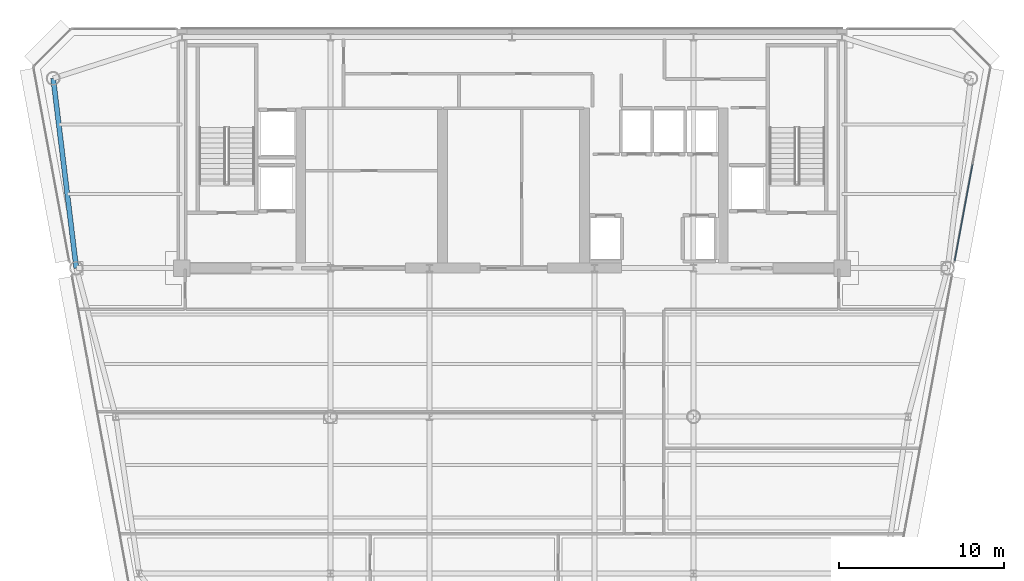
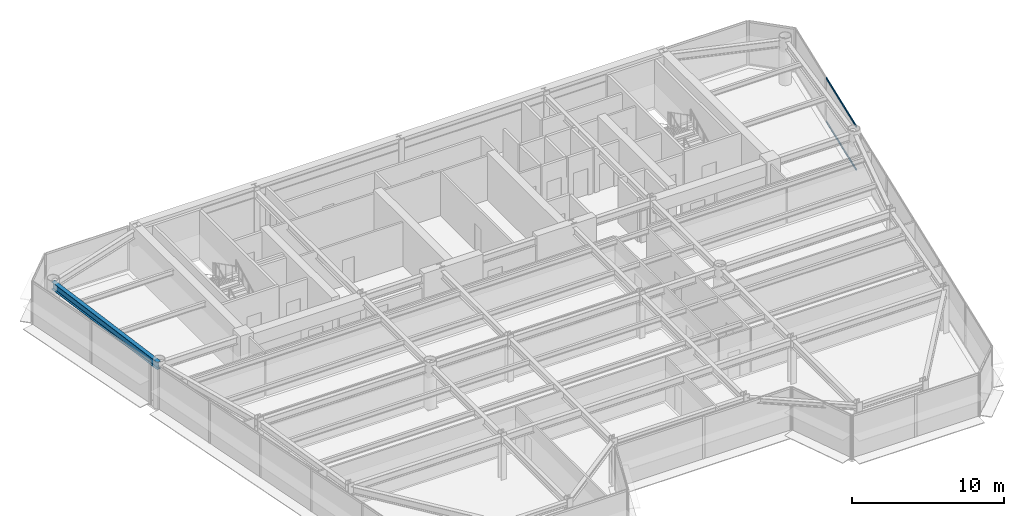
# One storey, part 7 of 17: 2 members, 1 beam, 1 element without a shape of its own.
"""IFC4 building model written with IfcOpenShell, lengths in metres."""

import ifcopenshell
import ifcopenshell.guid

model = None  # the IFC model being written
_history = None  # IfcOwnerHistory: only IFC2X3 demands one
_inside = {}  # id of a spatial element -> (the spatial element, [elements in it])
_under = {}  # id of a project, library or spatial element -> (it, [spatial elements below it])
_declared = {}  # id of a project -> (the project, [libraries it declares])
_typed = {}  # id of a type object -> (the type object, [elements of that type])
_made_of = {}  # id of a material, layer set ... -> (it, [elements and type objects made of it])


def new_model(schema):
    """Start an empty IFC model of exactly this schema.

    Asked for "IFC4X3", IfcOpenShell would pick the latest addendum, in which some entities
    have other attributes; the version numbers below select the first issue.
    IFC2X3 requires an IfcOwnerHistory on every rooted entity: one is made here for all.
    """
    global model, _history
    if schema == "IFC4X3":
        model = ifcopenshell.file(schema_version=(4, 3, 0, 0))
    else:
        model = ifcopenshell.file(schema=schema)
    _inside.clear()
    _under.clear()
    _declared.clear()
    _typed.clear()
    _made_of.clear()
    _history = None
    if model.schema == "IFC2X3":
        org = make("IfcOrganization", Name="unknown")
        user = make(
            "IfcPersonAndOrganization",
            ThePerson=make("IfcPerson", FamilyName="unknown"),
            TheOrganization=org,
        )
        app = make(
            "IfcApplication",
            ApplicationDeveloper=org,
            Version="unknown",
            ApplicationFullName="unknown",
            ApplicationIdentifier="unknown",
        )
        _history = make(
            "IfcOwnerHistory",
            OwningUser=user,
            OwningApplication=app,
            ChangeAction="ADDED",
            CreationDate=0,
        )
    return model


def make(cls, **values):
    """One entity of the class cls with the attributes given. An attribute that is None is left unset."""
    return model.create_entity(
        cls, **{name: value for name, value in values.items() if value is not None}
    )


def rooted(cls, **values):
    """An entity with a GlobalId (a new one), such as an element, a storey or a relation."""
    return make(cls, GlobalId=ifcopenshell.guid.new(), OwnerHistory=_history, **values)


def si_unit(unit_type, name, prefix=None):
    """IfcSIUnit, for example si_unit("LENGTHUNIT", "METRE", prefix="MILLI")."""
    return make("IfcSIUnit", UnitType=unit_type, Prefix=prefix, Name=name)


def assignment(units):
    """IfcUnitAssignment: the units of a project."""
    return None if units is None else make("IfcUnitAssignment", Units=units)


def point(xyz):
    """IfcCartesianPoint."""
    return None if xyz is None else make("IfcCartesianPoint", Coordinates=xyz)


def direction(xyz):
    """IfcDirection."""
    return None if xyz is None else make("IfcDirection", DirectionRatios=xyz)


def frame(location, z_axis=None, x_axis=None):
    """IfcAxis2Placement3D, a coordinate frame: its origin and axes. An axis left out is left unset."""
    return make(
        "IfcAxis2Placement3D",
        Location=point(location),
        Axis=direction(z_axis),
        RefDirection=direction(x_axis),
    )


def frame_2d(location, x_axis=None):
    """IfcAxis2Placement2D, a coordinate frame in the plane: its origin and x axis."""
    return make(
        "IfcAxis2Placement2D", Location=point(location), RefDirection=direction(x_axis)
    )


def origin():
    """The frame at (0, 0, 0) with its axes left unset."""
    return frame((0.0, 0.0, 0.0))


def origin_2d():
    """The frame at (0, 0) in the plane with its x axis left unset."""
    return frame_2d((0.0, 0.0))


def place(relative_to, where):
    """IfcLocalPlacement: puts the frame where relative to a parent placement (None: the world)."""
    return make(
        "IfcLocalPlacement", PlacementRelTo=relative_to, RelativePlacement=where
    )


def context(
    kind, dimensions, precision=None, world=None, true_north=None, identifier=None
):
    """IfcGeometricRepresentationContext, for example the 3D "Model" context."""
    return make(
        "IfcGeometricRepresentationContext",
        ContextIdentifier=identifier,
        ContextType=kind,
        CoordinateSpaceDimension=dimensions,
        Precision=precision,
        WorldCoordinateSystem=world,
        TrueNorth=true_north,
    )


def subcontext(parent, identifier, kind, view, scale=None):
    """IfcGeometricRepresentationSubContext, for example "Body" below "Model"."""
    return make(
        "IfcGeometricRepresentationSubContext",
        ContextIdentifier=identifier,
        ContextType=kind,
        ParentContext=parent,
        TargetScale=scale,
        TargetView=view,
    )


def project(units=None, contexts=None):
    """IfcProject with its units and contexts."""
    return rooted(
        "IfcProject",
        Name="project",
        RepresentationContexts=contexts,
        UnitsInContext=assignment(units),
    )


def spatial(cls, under=None, at=None, **own):
    """A site, building, storey or space (cls), placed at a placement, below another one or the project."""
    s = rooted(cls, ObjectPlacement=at, **own)
    if under is not None:
        _under.setdefault(under.id(), (under, []))[1].append(s)
    return s


def profile(cls, at=None, kind="AREA", **sizes):
    """A parametric profile (cls). Its sizes go by their IFC names, for example OverallWidth=200.0."""
    return make(cls, ProfileType=kind, Position=at, **sizes)


def rectangle(**sizes):
    """IfcRectangleProfileDef."""
    return profile("IfcRectangleProfileDef", **sizes)


def i_section(**sizes):
    """IfcIShapeProfileDef."""
    return profile("IfcIShapeProfileDef", **sizes)


def extrude(swept, where, along, depth):
    """IfcExtrudedAreaSolid: the profile swept, set in the frame where, extruded along a direction by depth."""
    return make(
        "IfcExtrudedAreaSolid",
        SweptArea=swept,
        Position=where,
        ExtrudedDirection=direction(along),
        Depth=depth,
    )


def shape(context_of_items, identifier, shape_type, items):
    """IfcShapeRepresentation: the items that make up one representation, for example the "Body"."""
    return make(
        "IfcShapeRepresentation",
        ContextOfItems=context_of_items,
        RepresentationIdentifier=identifier,
        RepresentationType=shape_type,
        Items=items,
    )


def source(mapping_origin, context_of_items, identifier, shape_type, items):
    """IfcRepresentationMap: a shape defined once, which mapped items show again and again."""
    return make(
        "IfcRepresentationMap",
        MappingOrigin=mapping_origin,
        MappedRepresentation=shape(context_of_items, identifier, shape_type, items),
    )


def transform(
    local_origin,
    x_axis=None,
    y_axis=None,
    z_axis=None,
    scale=None,
    scale2=None,
    scale3=None,
    uniform=True,
):
    """IfcCartesianTransformationOperator3D, or its non-uniform kind. x_axis, y_axis, z_axis: its Axis1, 2, 3."""
    if uniform:
        return make(
            "IfcCartesianTransformationOperator3D",
            Axis1=direction(x_axis),
            Axis2=direction(y_axis),
            LocalOrigin=point(local_origin),
            Scale=scale,
            Axis3=direction(z_axis),
        )
    return make(
        "IfcCartesianTransformationOperator3DnonUniform",
        Axis1=direction(x_axis),
        Axis2=direction(y_axis),
        LocalOrigin=point(local_origin),
        Scale=scale,
        Axis3=direction(z_axis),
        Scale2=scale2,
        Scale3=scale3,
    )


def mapped(mapping_source, mapping_target):
    """IfcMappedItem: shows the shape of a source again, moved by a transform."""
    return make(
        "IfcMappedItem", MappingSource=mapping_source, MappingTarget=mapping_target
    )


def material(Name=None, Category=None):
    """IfcMaterial."""
    return make("IfcMaterial", Name=Name, Category=Category)


def layer(
    of_material, thickness, ventilated=None, Name=None, Category=None, Priority=None
):
    """IfcMaterialLayer: one layer of a wall or slab, of a material (None: an air gap)."""
    return make(
        "IfcMaterialLayer",
        Material=of_material,
        LayerThickness=thickness,
        IsVentilated=ventilated,
        Name=Name,
        Category=Category,
        Priority=Priority,
    )


def layer_set(layers, Name=None):
    """IfcMaterialLayerSet."""
    return make("IfcMaterialLayerSet", MaterialLayers=layers, LayerSetName=Name)


def material_profile(
    of_material, cross_section, Name=None, Category=None, Priority=None
):
    """IfcMaterialProfile: a cross section and its material."""
    return make(
        "IfcMaterialProfile",
        Name=Name,
        Material=of_material,
        Profile=cross_section,
        Priority=Priority,
        Category=Category,
    )


def profile_set(profiles, Name=None, composite=None):
    """IfcMaterialProfileSet."""
    return make(
        "IfcMaterialProfileSet",
        Name=Name,
        MaterialProfiles=profiles,
        CompositeProfile=composite,
    )


def made_of(thing, what):
    """Note that an element or type object is made of a material, layer set ...; save() writes the relation."""
    if what is not None:
        _made_of.setdefault(what.id(), (what, []))[1].append(thing)
    return thing


def type_object(cls, material=None, **own):
    """A type object (cls), such as IfcWallType, which elements share."""
    return made_of(rooted(cls, **own), material)


def element(
    cls,
    number,
    at=None,
    inside=None,
    cuts=None,
    type_object=None,
    material=None,
    context=None,
    identifier="Body",
    shape_type=None,
    held_by="IfcProductDefinitionShape",
    body=None,
    shapes=None,
    **own,
):
    """One element of the class cls, such as IfcWall. Its Tag is "e" and its number.

    at: its placement. inside: the storey or other place that contains it. cuts: it is an
    opening in that element (IfcRelVoidsElement). A single representation is given by context,
    identifier, shape_type and body (its items); several are given by shapes. held_by: the class
    of the entity that holds the representations. save() writes the other relations.
    """
    e = rooted(cls, Tag="e%d" % number, ObjectPlacement=at, **own)
    if body is not None:
        shapes = [shape(context, identifier, shape_type, body)]
    if shapes is not None:
        e.Representation = make(held_by, Representations=shapes)
    if inside is not None:
        _inside.setdefault(inside.id(), (inside, []))[1].append(e)
    if cuts is not None:
        rooted(
            "IfcRelVoidsElement", RelatingBuildingElement=cuts, RelatedOpeningElement=e
        )
    if type_object is not None:
        _typed.setdefault(type_object.id(), (type_object, []))[1].append(e)
    return made_of(e, material)


def aggregate(whole, parts):
    """IfcRelAggregates: a whole, such as a stair, and the parts it consists of."""
    return rooted("IfcRelAggregates", RelatingObject=whole, RelatedObjects=parts)


def save(model, path):
    """Write the relations noted so far, then the file.

    IfcRelAggregates (storeys below a building ...), IfcRelContainedInSpatialStructure (elements
    in a storey), IfcRelDefinesByType, IfcRelAssociatesMaterial and IfcRelDeclares: one each for
    every whole, place, type object, material and project.
    """
    for whole, parts in _under.values():
        aggregate(whole, parts)
    for where, things in _inside.values():
        rooted(
            "IfcRelContainedInSpatialStructure",
            RelatedElements=things,
            RelatingStructure=where,
        )
    for kind, things in _typed.values():
        rooted("IfcRelDefinesByType", RelatedObjects=things, RelatingType=kind)
    for what, things in _made_of.values():
        rooted("IfcRelAssociatesMaterial", RelatedObjects=things, RelatingMaterial=what)
    for by, libraries in _declared.values():
        rooted("IfcRelDeclares", RelatingContext=by, RelatedDefinitions=libraries)
    model.write(path)


model = new_model("IFC4")

# Units and contexts
model_context = context("Model", 3, precision=1e-05, world=origin(), true_north=direction((0.0, 1.0)))
body_context = subcontext(model_context, "Body", "Model", "MODEL_VIEW")
ifc_project = project(units=[si_unit("LENGTHUNIT", "METRE"), si_unit("AREAUNIT", "SQUARE_METRE"), si_unit("VOLUMEUNIT", "CUBIC_METRE"), si_unit("PLANEANGLEUNIT", "RADIAN"), si_unit("MASSUNIT", "GRAM", prefix="KILO")], contexts=[model_context])

# Site, building, storey
site_placement = place(None, origin())
site = spatial("IfcSite", under=ifc_project, at=site_placement, CompositionType="ELEMENT")
building_placement = place(site_placement, origin())
building = spatial("IfcBuilding", under=site, at=building_placement, Name="Vaeldorn Concourse Tower", CompositionType="ELEMENT")
storey_placement = place(building_placement, frame((0.0, 0.0, 214.60009765625)))
storey = spatial("IfcBuildingStorey", under=building, at=storey_placement, Name="L55", CompositionType="ELEMENT", Elevation=214.60009765625)

# Beam
ifc_material_1 = material(Name="Steel S355", Category="steel")
ifc_material_profile_1 = material_profile(ifc_material_1, i_section(OverallWidth=0.300048828125, OverallDepth=0.60009765625, WebThickness=0.015380859375, FlangeThickness=0.030029296875, FilletRadius=0.027099609375, at=origin_2d()), Name="HEB 600")
ifc_profile_set_1 = profile_set([ifc_material_profile_1], Name="Steel S355")
beam_type = type_object("IfcBeamType", Name="BM-PG-HEB600", PredefinedType="BEAM", material=ifc_profile_set_1)
shared_shape_1 = source(origin(), body_context, "Body", "SweptSolid", [
    extrude(i_section(OverallWidth=0.300048828125, OverallDepth=0.60009765625, WebThickness=0.015380859375, FlangeThickness=0.030029296875, FilletRadius=0.027099609375, at=origin_2d()), origin(), (0.0, 0.0, 1.0), 11.5849609375),
])
beam_placement = place(storey_placement, frame((6.199951171875, 48.0, 3.239990234375), z_axis=(0.120859382899, -0.992669637677, 0.0), x_axis=(0.992669637677, 0.120859382899, 0.0)))
element("IfcBeam", 1, at=beam_placement, inside=storey, type_object=beam_type, Name="Beam BM-L55-C-NW1-C-NW2", PredefinedType="BEAM", context=body_context, shape_type="MappedRepresentation", body=[
    mapped(shared_shape_1, transform((0.0, 0.0, 0.0), scale=1.0)),
])

# Curtain wall, members
ifc_material_2 = material(Name="Anodised Bronze Aluminium", Category="aluminium")
ifc_layer = layer(ifc_material_2, 0.18994140625)
ifc_layer_set = layer_set([ifc_layer], Name="Anodised Bronze Aluminium")
curtain_wall_type = type_object("IfcCurtainWallType", Name="CW-SYS-03", PredefinedType="NOTDEFINED", material=ifc_layer_set)
curtain_wall_placement = place(storey_placement, origin())
curtain_wall = element("IfcCurtainWall", 2, at=curtain_wall_placement, inside=storey, type_object=curtain_wall_type, Name="Unitised Curtain Wall CW-L55-E07-2", PredefinedType="NOTDEFINED")
ifc_material_profile_2 = material_profile(ifc_material_2, rectangle(XDim=0.06494140625, YDim=0.14990234375, at=origin_2d()), Name="CWT 65x150")
ifc_profile_set_2 = profile_set([ifc_material_profile_2], Name="Anodised Bronze Aluminium")
member_type = type_object("IfcMemberType", Name="CWT-BRONZE-150", PredefinedType="USERDEFINED", material=ifc_profile_set_2)
shared_shape_2 = source(origin(), body_context, "Body", "SweptSolid", [
    extrude(rectangle(XDim=0.06494140625, YDim=0.14990234375, at=origin_2d()), origin(), (0.0, 0.0, 1.0), 5.90478515625),
])
member_1_placement = place(storey_placement, frame((60.828369140625, 36.95947265625, 0.032470703125), z_axis=(0.181879018898, 0.983320915309, 0.0), x_axis=(-0.983320915309, 0.181879018898, 0.0)))
member_1 = element("IfcMember", 3, at=member_1_placement, type_object=member_type, Name="CW-03 transom 1.1", ObjectType="TRANSOM", PredefinedType="USERDEFINED", context=body_context, shape_type="MappedRepresentation", body=[
    mapped(shared_shape_2, transform((0.0, 0.0, 0.0), scale=1.0)),
])
member_2_placement = place(storey_placement, frame((60.828369140625, 36.95947265625, 3.50732421875), z_axis=(0.181879018898, 0.983320915309, 0.0), x_axis=(-0.983320915309, 0.181879018898, 0.0)))
member_2 = element("IfcMember", 4, at=member_2_placement, type_object=member_type, Name="CW-03 transom 1.2", ObjectType="TRANSOM", PredefinedType="USERDEFINED", context=body_context, shape_type="MappedRepresentation", body=[
    mapped(shared_shape_2, transform((0.0, 0.0, 0.0), scale=1.0)),
])
aggregate(curtain_wall, [member_1, member_2])

save(model, "model.ifc")
